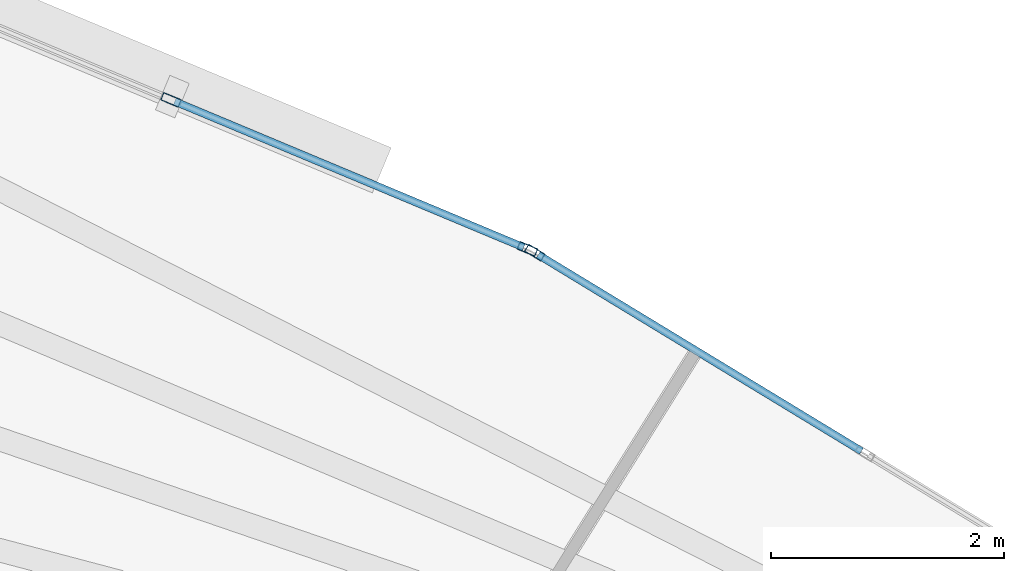
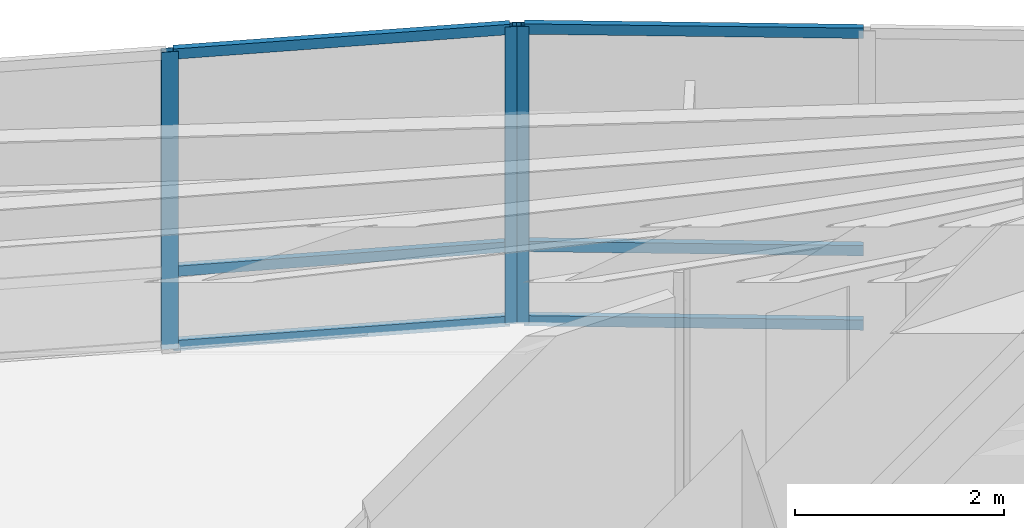
# One storey, part 12 of 18: 9 members, 2 elements without a shape of their own.
"""IFC4 building model written with IfcOpenShell, lengths in metres."""

from ifc_helpers import new_model, si_unit, direction, frame, origin, origin_2d, place, context, subcontext, project, spatial, hollow_rectangle, extrude, material, layer, layer_set, material_profile, profile_set, type_object, element, aggregate, save


model = new_model("IFC4")

# Units and contexts
model_context = context("Model", 3, precision=1e-05, world=origin(), true_north=direction((0.0, 1.0)))
body_context = subcontext(model_context, "Body", "Model", "MODEL_VIEW")
ifc_project = project(units=[si_unit("LENGTHUNIT", "METRE"), si_unit("AREAUNIT", "SQUARE_METRE"), si_unit("VOLUMEUNIT", "CUBIC_METRE"), si_unit("PLANEANGLEUNIT", "RADIAN"), si_unit("MASSUNIT", "GRAM", prefix="KILO")], contexts=[model_context])

# Site, building, storey
site_placement = place(None, origin())
site = spatial("IfcSite", under=ifc_project, at=site_placement, CompositionType="ELEMENT")
building_placement = place(site_placement, origin())
building = spatial("IfcBuilding", under=site, at=building_placement, Name="Menara Vayukalpa", CompositionType="ELEMENT")
storey_placement = place(building_placement, frame((0.0, 0.0, 35.0400390625)))
storey = spatial("IfcBuildingStorey", under=building, at=storey_placement, Name="L07", CompositionType="ELEMENT", Elevation=35.0400390625)

# Curtain wall, member
ifc_material_1 = material(Name="Anodised Terracotta Aluminium Alloy 6063-T6", Category="masonry")
ifc_layer = layer(ifc_material_1, 0.1650390625)
ifc_layer_set = layer_set([ifc_layer], Name="Anodised Terracotta Aluminium Alloy 6063-T6")
curtain_wall_type = type_object("IfcCurtainWallType", Name="CW-CW2", PredefinedType="USERDEFINED", material=ifc_layer_set)
curtain_wall_1_placement = place(storey_placement, origin())
curtain_wall_1 = element("IfcCurtainWall", 1, at=curtain_wall_1_placement, inside=storey, type_object=curtain_wall_type, Name="L07 Low Rise Terracotta Ribbon Curtain Wall CW2 04", ObjectType="UNITISED", PredefinedType="USERDEFINED")
ifc_material_2 = material(Name="Anodised Terracotta Aluminium Alloy 6063-T6", Category="masonry")
ifc_material_profile_1 = material_profile(ifc_material_2, hollow_rectangle(XDim=0.070068359375, YDim=0.1650390625, WallThickness=0.00390625, at=origin_2d()), Name="ALU 70x165x4")
ifc_profile_set_1 = profile_set([ifc_material_profile_1], Name="Anodised Terracotta Aluminium Alloy 6063-T6")
member_type_1 = type_object("IfcMemberType", Name="CWM-CW2", PredefinedType="MULLION", material=ifc_profile_set_1)
member_1_placement = place(storey_placement, frame((30.125, 32.30126953125, 0.0), z_axis=(0.0, 0.0, 1.0), x_axis=(-0.519181964377, -0.854663727945, 0.0)))
member_1 = element("IfcMember", 2, at=member_1_placement, type_object=member_type_1, Name="CW2 mullion 3", PredefinedType="MULLION", context=body_context, shape_type="SweptSolid", body=[
    extrude(hollow_rectangle(XDim=0.070068359375, YDim=0.1650390625, WallThickness=0.00390625, at=origin_2d()), origin(), (0.0, 0.0, 1.0), 3.469970703125),
])

# Curtain wall, members
curtain_wall_2_placement = place(storey_placement, origin())
curtain_wall_2 = element("IfcCurtainWall", 3, at=curtain_wall_2_placement, inside=storey, type_object=curtain_wall_type, Name="L07 Low Rise Terracotta Ribbon Curtain Wall CW2 05", ObjectType="UNITISED", PredefinedType="USERDEFINED")
member_2_placement = place(storey_placement, frame((30.062744140625, 32.3330078125, 0.0), z_axis=(0.0, 0.0, 1.0), x_axis=(-0.385895120445, -0.922542658101, 0.0)))
member_2 = element("IfcMember", 4, at=member_2_placement, type_object=member_type_1, Name="CW2 mullion 1", PredefinedType="MULLION", context=body_context, shape_type="SweptSolid", body=[
    extrude(hollow_rectangle(XDim=0.070068359375, YDim=0.1650390625, WallThickness=0.00390625, at=origin_2d()), origin(), (0.0, 0.0, 1.0), 3.469970703125),
])
member_3_placement = place(storey_placement, frame((27.0068359375, 33.611083984375, 0.0), z_axis=(0.0, 0.0, 1.0), x_axis=(-0.385895120445, -0.922542658101, 0.0)))
member_3 = element("IfcMember", 5, at=member_3_placement, type_object=member_type_1, Name="CW2 mullion 2", PredefinedType="MULLION", context=body_context, shape_type="SweptSolid", body=[
    extrude(hollow_rectangle(XDim=0.070068359375, YDim=0.1650390625, WallThickness=0.00390625, at=origin_2d()), origin(), (0.0, 0.0, 1.0), 3.469970703125),
])

# Member
ifc_material_3 = material(Name="Anodised Terracotta Aluminium Alloy 6063-T6", Category="masonry")
ifc_material_profile_2 = material_profile(ifc_material_3, hollow_rectangle(XDim=0.06494140625, YDim=0.1201171875, WallThickness=0.00341796875, at=origin_2d()), Name="ALU 65x120x3.5")
ifc_profile_set_2 = profile_set([ifc_material_profile_2], Name="Anodised Terracotta Aluminium Alloy 6063-T6")
member_type_2 = type_object("IfcMemberType", Name="CWT-CW2", PredefinedType="USERDEFINED", material=ifc_profile_set_2)
member_4_placement = place(storey_placement, frame((32.92626953125, 30.599609375, 0.032470703125), z_axis=(-0.854676552714, 0.519160851992, 0.0), x_axis=(-0.519160851992, -0.854676552714, 0.0)))
member_4 = element("IfcMember", 6, at=member_4_placement, type_object=member_type_2, Name="CW2 transom 2.1", ObjectType="TRANSOM", PredefinedType="USERDEFINED", context=body_context, shape_type="SweptSolid", body=[
    extrude(hollow_rectangle(XDim=0.06494140625, YDim=0.1201171875, WallThickness=0.00341796875, at=origin_2d()), origin(), (0.0, 0.0, 1.0), 3.242431640625),
])

member_5_placement = place(storey_placement, frame((32.92626953125, 30.599609375, 0.89990234375), z_axis=(-0.854676552714, 0.519160851992, 0.0), x_axis=(-0.519160851992, -0.854676552714, 0.0)))
member_5 = element("IfcMember", 7, at=member_5_placement, type_object=member_type_2, Name="CW2 transom 2.2", ObjectType="TRANSOM", PredefinedType="USERDEFINED", context=body_context, shape_type="SweptSolid", body=[
    extrude(hollow_rectangle(XDim=0.06494140625, YDim=0.1201171875, WallThickness=0.00341796875, at=origin_2d()), origin(), (0.0, 0.0, 1.0), 3.242431640625),
])

member_6_placement = place(storey_placement, frame((32.92626953125, 30.599609375, 3.4375), z_axis=(-0.854676552714, 0.519160851992, 0.0), x_axis=(-0.519160851992, -0.854676552714, 0.0)))
member_6 = element("IfcMember", 8, at=member_6_placement, type_object=member_type_2, Name="CW2 transom 2.3", ObjectType="TRANSOM", PredefinedType="USERDEFINED", context=body_context, shape_type="SweptSolid", body=[
    extrude(hollow_rectangle(XDim=0.06494140625, YDim=0.1201171875, WallThickness=0.00341796875, at=origin_2d()), origin(), (0.0, 0.0, 1.0), 3.242431640625),
])

aggregate(curtain_wall_1, [member_1, member_4, member_5, member_6])

member_7_placement = place(storey_placement, frame((30.030517578125, 32.346435546875, 0.032470703125), z_axis=(-0.922552588381, 0.385871379699, 0.0), x_axis=(-0.385871379699, -0.922552588381, 0.0)))
member_7 = element("IfcMember", 9, at=member_7_placement, type_object=member_type_2, Name="CW2 transom 1.1", ObjectType="TRANSOM", PredefinedType="USERDEFINED", context=body_context, shape_type="SweptSolid", body=[
    extrude(hollow_rectangle(XDim=0.06494140625, YDim=0.1201171875, WallThickness=0.00341796875, at=origin_2d()), origin(), (0.0, 0.0, 1.0), 3.24267578125),
])

member_8_placement = place(storey_placement, frame((30.030517578125, 32.346435546875, 0.89990234375), z_axis=(-0.922552588381, 0.385871379699, 0.0), x_axis=(-0.385871379699, -0.922552588381, 0.0)))
member_8 = element("IfcMember", 10, at=member_8_placement, type_object=member_type_2, Name="CW2 transom 1.2", ObjectType="TRANSOM", PredefinedType="USERDEFINED", context=body_context, shape_type="SweptSolid", body=[
    extrude(hollow_rectangle(XDim=0.06494140625, YDim=0.1201171875, WallThickness=0.00341796875, at=origin_2d()), origin(), (0.0, 0.0, 1.0), 3.24267578125),
])

member_9_placement = place(storey_placement, frame((30.030517578125, 32.346435546875, 3.4375), z_axis=(-0.922552588381, 0.385871379699, 0.0), x_axis=(-0.385871379699, -0.922552588381, 0.0)))
member_9 = element("IfcMember", 11, at=member_9_placement, type_object=member_type_2, Name="CW2 transom 1.3", ObjectType="TRANSOM", PredefinedType="USERDEFINED", context=body_context, shape_type="SweptSolid", body=[
    extrude(hollow_rectangle(XDim=0.06494140625, YDim=0.1201171875, WallThickness=0.00341796875, at=origin_2d()), origin(), (0.0, 0.0, 1.0), 3.24267578125),
])

aggregate(curtain_wall_2, [member_2, member_3, member_7, member_8, member_9])

save(model, "model.ifc")
